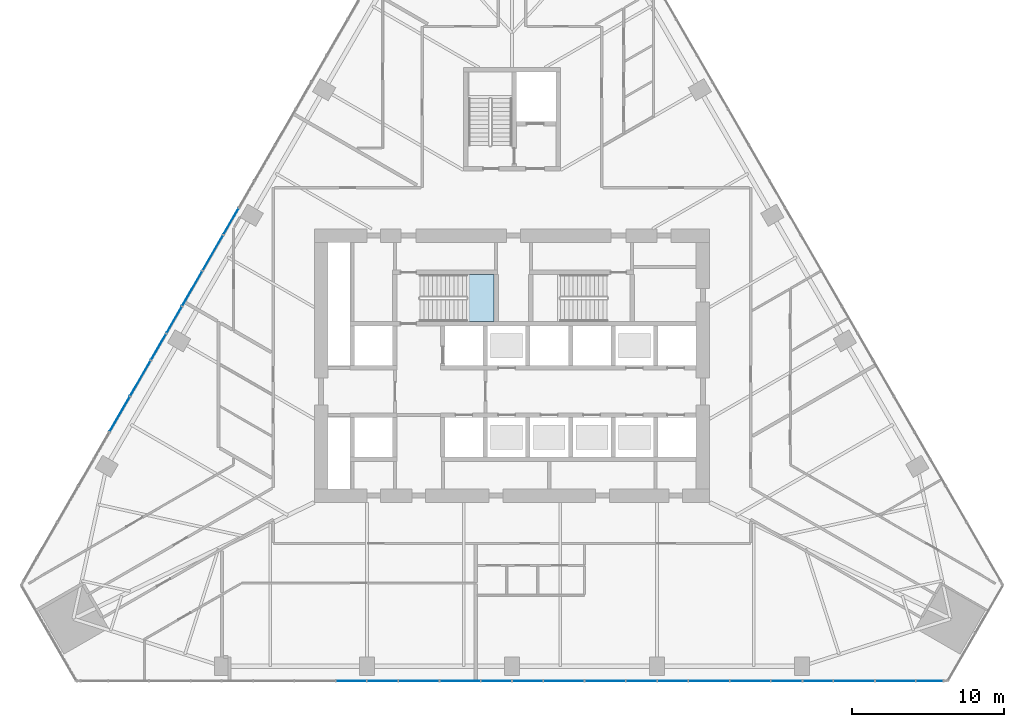
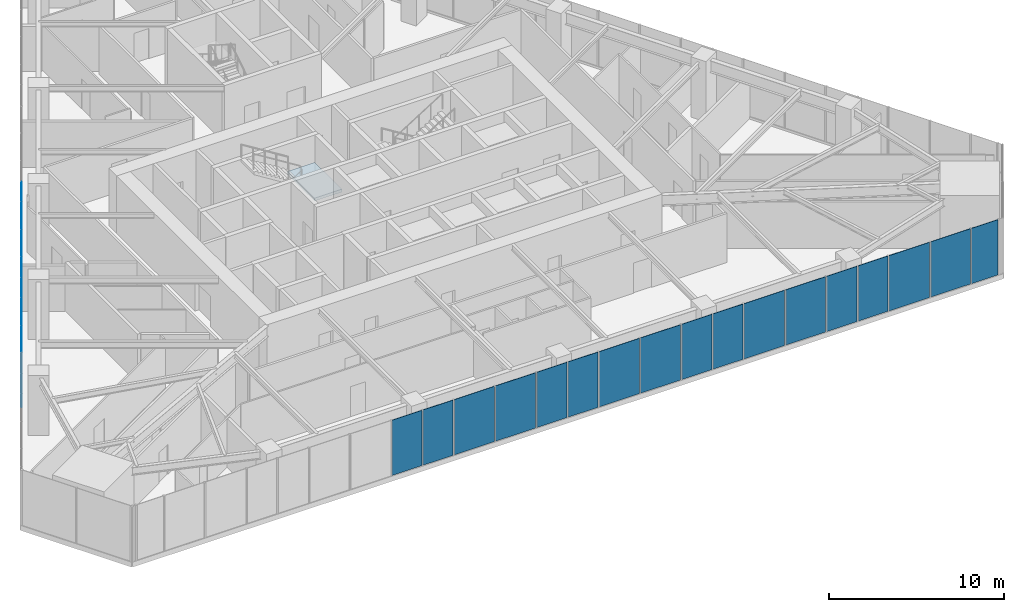
# One storey, part 14 of 26: 24 plates, 1 slab, 3 elements without a shape of their own.
"""IFC4 building model written with IfcOpenShell, lengths in metres."""

from ifc_helpers import new_model, si_unit, direction, frame, origin, place, context, subcontext, project, spatial, polyline, outline, extrude, material, layer, layer_set, type_object, element, aggregate, save


model = new_model("IFC4")

# Units and contexts
model_context = context("Model", 3, precision=1e-05, world=origin(), true_north=direction((0.0, 1.0)))
body_context = subcontext(model_context, "Body", "Model", "MODEL_VIEW")
ifc_project = project(units=[si_unit("LENGTHUNIT", "METRE"), si_unit("AREAUNIT", "SQUARE_METRE"), si_unit("VOLUMEUNIT", "CUBIC_METRE"), si_unit("PLANEANGLEUNIT", "RADIAN"), si_unit("MASSUNIT", "GRAM", prefix="KILO")], contexts=[model_context])

# Site, building, storey
site_placement = place(None, origin())
site = spatial("IfcSite", under=ifc_project, at=site_placement, CompositionType="ELEMENT")
building_placement = place(site_placement, origin())
building = spatial("IfcBuilding", under=site, at=building_placement, Name="Firuza Gate Tower and Library", CompositionType="ELEMENT")
storey_placement = place(building_placement, frame((0.0, 0.0, 65.199951171875)))
storey = spatial("IfcBuildingStorey", under=building, at=storey_placement, Name="L14", CompositionType="ELEMENT", Elevation=65.199951171875)

# Curtain wall, plates
ifc_material_1 = material(Name="Aluminium 6063-T6", Category="aluminium")
ifc_layer_1 = layer(ifc_material_1, 0.14990234375)
ifc_layer_set_1 = layer_set([ifc_layer_1], Name="Unitised curtain wall, offices")
curtain_wall_type = type_object("IfcCurtainWallType", Name="Unitised curtain wall, offices", PredefinedType="NOTDEFINED", material=ifc_layer_set_1)
placement = place(storey_placement, origin())
curtain_wall_1 = element("IfcCurtainWall", 1, at=placement, inside=storey, type_object=curtain_wall_type, Name="CW1 L14 S face", PredefinedType="NOTDEFINED")
ifc_material_2 = material(Name="Fritted glass", Category="glass")
ifc_layer_2 = layer(ifc_material_2, 0.030029296875)
ifc_layer_set_2 = layer_set([ifc_layer_2], Name="Fritted glass unit, offices")
plate_type_1 = type_object("IfcPlateType", Name="Fritted glass unit, offices", PredefinedType="CURTAIN_PANEL", material=ifc_layer_set_2)
plate_1_placement = place(storey_placement, frame((63.455810546875, 54.239013671875, 0.150146484375), z_axis=(0.0, -1.0, 0.0), x_axis=(1.0, 0.0, 0.0)))
plate_1 = element("IfcPlate", 2, at=plate_1_placement, type_object=plate_type_1, Name="Glass unit", PredefinedType="CURTAIN_PANEL", context=body_context, shape_type="SweptSolid", body=[
    extrude(outline(polyline([(0.0, 0.0), (1.955322265625, 0.0), (1.955322265625, 3.849853515625), (0.0, 3.849853515625), (0.0, 0.0)])), origin(), (0.0, 0.0, -1.0), 0.030029296875),
])
plate_2_placement = place(storey_placement, frame((65.4912109375, 54.239013671875, 0.150146484375), z_axis=(0.0, -1.0, 0.0), x_axis=(1.0, 0.0, 0.0)))
plate_2 = element("IfcPlate", 3, at=plate_2_placement, type_object=plate_type_1, Name="Glass unit", PredefinedType="CURTAIN_PANEL", context=body_context, shape_type="SweptSolid", body=[
    extrude(outline(polyline([(0.0, 0.0), (1.984130859375, 0.0), (1.984130859375, 3.849853515625), (0.0, 3.849853515625), (0.0, 0.0)])), origin(), (0.0, 0.0, -1.0), 0.030029296875),
])
plate_3_placement = place(storey_placement, frame((72.990234375, 54.239013671875, 0.150146484375), z_axis=(0.0, -1.0, 0.0), x_axis=(1.0, 0.0, 0.0)))
plate_3 = element("IfcPlate", 4, at=plate_3_placement, type_object=plate_type_1, Name="Glass unit", PredefinedType="CURTAIN_PANEL", context=body_context, shape_type="SweptSolid", body=[
    extrude(outline(polyline([(0.0, 0.0), (1.9697265625, 0.0), (1.9697265625, 3.849853515625), (0.0, 3.849853515625), (0.0, 0.0)])), origin(), (0.0, 0.0, -1.0), 0.030029296875),
])
plate_4_placement = place(storey_placement, frame((75.0400390625, 54.239013671875, 0.150146484375), z_axis=(0.0, -1.0, 0.0), x_axis=(1.0, 0.0, 0.0)))
plate_4 = element("IfcPlate", 5, at=plate_4_placement, type_object=plate_type_1, Name="Glass unit", PredefinedType="CURTAIN_PANEL", context=body_context, shape_type="SweptSolid", body=[
    extrude(outline(polyline([(0.0, 0.0), (1.9697265625, 0.0), (1.9697265625, 3.849853515625), (0.0, 3.849853515625), (0.0, 0.0)])), origin(), (0.0, 0.0, -1.0), 0.030029296875),
])
plate_5_placement = place(storey_placement, frame((82.524658203125, 54.239013671875, 0.150146484375), z_axis=(0.0, -1.0, 0.0), x_axis=(1.0, 0.0, 0.0)))
plate_5 = element("IfcPlate", 6, at=plate_5_placement, type_object=plate_type_1, Name="Glass unit", PredefinedType="CURTAIN_PANEL", context=body_context, shape_type="SweptSolid", body=[
    extrude(outline(polyline([(0.0, 0.0), (1.984130859375, 0.0), (1.984130859375, 3.849853515625), (0.0, 3.849853515625), (0.0, 0.0)])), origin(), (0.0, 0.0, -1.0), 0.030029296875),
])
plate_6_placement = place(storey_placement, frame((84.5888671875, 54.239013671875, 0.150146484375), z_axis=(0.0, -1.0, 0.0), x_axis=(1.0, 0.0, 0.0)))
plate_6 = element("IfcPlate", 7, at=plate_6_placement, type_object=plate_type_1, Name="Glass unit", PredefinedType="CURTAIN_PANEL", context=body_context, shape_type="SweptSolid", body=[
    extrude(outline(polyline([(0.0, 0.0), (1.955322265625, 0.0), (1.955322265625, 3.849853515625), (0.0, 3.849853515625), (0.0, 0.0)])), origin(), (0.0, 0.0, -1.0), 0.030029296875),
])
plate_7_placement = place(storey_placement, frame((92.059326171875, 54.239013671875, 0.150146484375), z_axis=(0.0, -1.0, 0.0), x_axis=(1.0, 0.0, 0.0)))
plate_7 = element("IfcPlate", 8, at=plate_7_placement, type_object=plate_type_1, Name="Glass unit", PredefinedType="CURTAIN_PANEL", context=body_context, shape_type="SweptSolid", body=[
    extrude(outline(polyline([(0.0, 0.0), (1.99853515625, 0.0), (1.99853515625, 3.849853515625), (0.0, 3.849853515625), (0.0, 0.0)])), origin(), (0.0, 0.0, -1.0), 0.030029296875),
])
plate_8_placement = place(storey_placement, frame((94.1376953125, 54.239013671875, 0.150146484375), z_axis=(0.0, -1.0, 0.0), x_axis=(1.0, 0.0, 0.0)))
plate_8 = element("IfcPlate", 9, at=plate_8_placement, type_object=plate_type_1, Name="Glass unit", PredefinedType="CURTAIN_PANEL", context=body_context, shape_type="SweptSolid", body=[
    extrude(outline(polyline([(0.0, 0.0), (1.94091796875, 0.0), (1.94091796875, 3.849853515625), (0.0, 3.849853515625), (0.0, 0.0)])), origin(), (0.0, 0.0, -1.0), 0.030029296875),
])
plate_9_placement = place(storey_placement, frame((101.59375, 54.239013671875, 0.150146484375), z_axis=(0.0, -1.0, 0.0), x_axis=(1.0, 0.0, 0.0)))
plate_9 = element("IfcPlate", 10, at=plate_9_placement, type_object=plate_type_1, Name="Glass unit", PredefinedType="CURTAIN_PANEL", context=body_context, shape_type="SweptSolid", body=[
    extrude(outline(polyline([(0.0, 0.0), (1.746826171875, 0.0), (1.746826171875, 3.849853515625), (0.0, 3.849853515625), (0.0, 0.0)])), origin(), (0.0, 0.0, -1.0), 0.030029296875),
])

curtain_wall_2 = element("IfcCurtainWall", 11, at=placement, inside=storey, type_object=curtain_wall_type, Name="CW1 L14 W face", PredefinedType="NOTDEFINED")
plate_10_placement = place(storey_placement, frame((57.00048828125, 85.345947265625, 0.150146484375), z_axis=(-0.866022523296, 0.500004989119, 0.0), x_axis=(-0.500004989119, -0.866022523296, 0.0)))
plate_10 = element("IfcPlate", 12, at=plate_10_placement, type_object=plate_type_1, Name="Glass unit", PredefinedType="CURTAIN_PANEL", context=body_context, shape_type="SweptSolid", body=[
    extrude(outline(polyline([(0.0, 0.0), (1.969706908294862, 0.0), (1.969706908294862, 3.849853515625), (0.0, 3.849853515625), (0.0, 0.0)])), origin(), (0.0, 0.0, -1.0), 0.030029296875),
])
plate_11_placement = place(storey_placement, frame((53.258056640625, 78.864013671875, 0.150146484375), z_axis=(-0.866023728021, 0.500002902497, 0.0), x_axis=(-0.500002902497, -0.866023728021, 0.0)))
plate_11 = element("IfcPlate", 13, at=plate_11_placement, type_object=plate_type_1, Name="Glass unit", PredefinedType="CURTAIN_PANEL", context=body_context, shape_type="SweptSolid", body=[
    extrude(outline(polyline([(0.0, 0.0), (1.984363480782303, 0.0), (1.984363480782303, 3.849853515625), (0.0, 3.849853515625), (0.0, 0.0)])), origin(), (0.0, 0.0, -1.0), 0.030029296875),
])
plate_12_placement = place(storey_placement, frame((52.225830078125, 77.076416015625, 0.150146484375), z_axis=(-0.866052515552, 0.499953038101, 0.0), x_axis=(-0.499953038101, -0.866052515552, 0.0)))
plate_12 = element("IfcPlate", 14, at=plate_12_placement, type_object=plate_type_1, Name="Glass unit", PredefinedType="CURTAIN_PANEL", context=body_context, shape_type="SweptSolid", body=[
    extrude(outline(polyline([(0.0, 0.0), (1.9552617706112319, 0.0), (1.9552617706112319, 3.849853515625), (0.0, 3.849853515625), (0.0, 0.0)])), origin(), (0.0, 0.0, -1.0), 0.030029296875),
])

# Plate
ifc_material_3 = material(Name="Glazed ceramic tile")
ifc_layer_3 = layer(ifc_material_3, 0.030029296875)
ifc_layer_set_3 = layer_set([ifc_layer_3], Name="Opaque ceramic panel, offices")
plate_type_2 = type_object("IfcPlateType", Name="Opaque ceramic panel, offices", PredefinedType="CURTAIN_PANEL", material=ifc_layer_set_3)
plate_13_placement = place(storey_placement, frame((67.55517578125, 54.239013671875, 0.150146484375), z_axis=(0.0, -1.0, 0.0), x_axis=(1.0, 0.0, 0.0)))
plate_13 = element("IfcPlate", 15, at=plate_13_placement, type_object=plate_type_2, Name="Opaque ceramic panel", PredefinedType="CURTAIN_PANEL", context=body_context, shape_type="SweptSolid", body=[
    extrude(outline(polyline([(0.0, 0.0), (2.63037109375, 0.0), (2.63037109375, 3.849853515625), (0.0, 3.849853515625), (0.0, 0.0)])), origin(), (0.0, 0.0, -1.0), 0.030029296875),
])

plate_14_placement = place(storey_placement, frame((70.265625, 54.239013671875, 0.150146484375), z_axis=(0.0, -1.0, 0.0), x_axis=(1.0, 0.0, 0.0)))
plate_14 = element("IfcPlate", 16, at=plate_14_placement, type_object=plate_type_2, Name="Opaque ceramic panel", PredefinedType="CURTAIN_PANEL", context=body_context, shape_type="SweptSolid", body=[
    extrude(outline(polyline([(0.0, 0.0), (2.644775390625, 0.0), (2.644775390625, 3.849853515625), (0.0, 3.849853515625), (0.0, 0.0)])), origin(), (0.0, 0.0, -1.0), 0.030029296875),
])

plate_15_placement = place(storey_placement, frame((77.089599609375, 54.239013671875, 0.150146484375), z_axis=(0.0, -1.0, 0.0), x_axis=(1.0, 0.0, 0.0)))
plate_15 = element("IfcPlate", 17, at=plate_15_placement, type_object=plate_type_2, Name="Opaque ceramic panel", PredefinedType="CURTAIN_PANEL", context=body_context, shape_type="SweptSolid", body=[
    extrude(outline(polyline([(0.0, 0.0), (2.644775390625, 0.0), (2.644775390625, 3.849853515625), (0.0, 3.849853515625), (0.0, 0.0)])), origin(), (0.0, 0.0, -1.0), 0.030029296875),
])

plate_16_placement = place(storey_placement, frame((79.814453125, 54.239013671875, 0.150146484375), z_axis=(0.0, -1.0, 0.0), x_axis=(1.0, 0.0, 0.0)))
plate_16 = element("IfcPlate", 18, at=plate_16_placement, type_object=plate_type_2, Name="Opaque ceramic panel", PredefinedType="CURTAIN_PANEL", context=body_context, shape_type="SweptSolid", body=[
    extrude(outline(polyline([(0.0, 0.0), (2.63037109375, 0.0), (2.63037109375, 3.849853515625), (0.0, 3.849853515625), (0.0, 0.0)])), origin(), (0.0, 0.0, -1.0), 0.030029296875),
])

plate_17_placement = place(storey_placement, frame((86.6240234375, 54.239013671875, 0.150146484375), z_axis=(0.0, -1.0, 0.0), x_axis=(1.0, 0.0, 0.0)))
plate_17 = element("IfcPlate", 19, at=plate_17_placement, type_object=plate_type_2, Name="Opaque ceramic panel", PredefinedType="CURTAIN_PANEL", context=body_context, shape_type="SweptSolid", body=[
    extrude(outline(polyline([(0.0, 0.0), (2.659423828125, 0.0), (2.659423828125, 3.849853515625), (0.0, 3.849853515625), (0.0, 0.0)])), origin(), (0.0, 0.0, -1.0), 0.030029296875),
])

plate_18_placement = place(storey_placement, frame((89.36328125, 54.239013671875, 0.150146484375), z_axis=(0.0, -1.0, 0.0), x_axis=(1.0, 0.0, 0.0)))
plate_18 = element("IfcPlate", 20, at=plate_18_placement, type_object=plate_type_2, Name="Opaque ceramic panel", PredefinedType="CURTAIN_PANEL", context=body_context, shape_type="SweptSolid", body=[
    extrude(outline(polyline([(0.0, 0.0), (2.615966796875, 0.0), (2.615966796875, 3.849853515625), (0.0, 3.849853515625), (0.0, 0.0)])), origin(), (0.0, 0.0, -1.0), 0.030029296875),
])

plate_19_placement = place(storey_placement, frame((96.15869140625, 54.239013671875, 0.150146484375), z_axis=(0.0, -1.0, 0.0), x_axis=(1.0, 0.0, 0.0)))
plate_19 = element("IfcPlate", 21, at=plate_19_placement, type_object=plate_type_2, Name="Opaque ceramic panel", PredefinedType="CURTAIN_PANEL", context=body_context, shape_type="SweptSolid", body=[
    extrude(outline(polyline([(0.0, 0.0), (2.673583984375, 0.0), (2.673583984375, 3.849853515625), (0.0, 3.849853515625), (0.0, 0.0)])), origin(), (0.0, 0.0, -1.0), 0.030029296875),
])

plate_20_placement = place(storey_placement, frame((98.912109375, 54.239013671875, 0.150146484375), z_axis=(0.0, -1.0, 0.0), x_axis=(1.0, 0.0, 0.0)))
plate_20 = element("IfcPlate", 22, at=plate_20_placement, type_object=plate_type_2, Name="Opaque ceramic panel", PredefinedType="CURTAIN_PANEL", context=body_context, shape_type="SweptSolid", body=[
    extrude(outline(polyline([(0.0, 0.0), (2.6015625, 0.0), (2.6015625, 3.849853515625), (0.0, 3.849853515625), (0.0, 0.0)])), origin(), (0.0, 0.0, -1.0), 0.030029296875),
])

aggregate(curtain_wall_1, [plate_1, plate_2, plate_13, plate_14, plate_3, plate_4, plate_15, plate_16, plate_5, plate_6, plate_17, plate_18, plate_7, plate_8, plate_19, plate_20, plate_9])

plate_21_placement = place(storey_placement, frame((55.9755859375, 83.57080078125, 0.150146484375), z_axis=(-0.86601342167, 0.500020753057, 0.0), x_axis=(-0.500020753057, -0.86601342167, 0.0)))
plate_21 = element("IfcPlate", 23, at=plate_21_placement, type_object=plate_type_2, Name="Opaque ceramic panel", PredefinedType="CURTAIN_PANEL", context=body_context, shape_type="SweptSolid", body=[
    extrude(outline(polyline([(0.0, 0.0), (2.6449097513223254, 0.0), (2.6449097513223254, 3.849853515625), (0.0, 3.849853515625), (0.0, 0.0)])), origin(), (0.0, 0.0, -1.0), 0.030029296875),
])

plate_22_placement = place(storey_placement, frame((54.613037109375, 81.211181640625, 0.150146484375), z_axis=(-0.866075853571, 0.499912608224, 0.0), x_axis=(-0.499912608224, -0.866075853571, 0.0)))
plate_22 = element("IfcPlate", 24, at=plate_22_placement, type_object=plate_type_2, Name="Opaque ceramic panel", PredefinedType="CURTAIN_PANEL", context=body_context, shape_type="SweptSolid", body=[
    extrude(outline(polyline([(0.0, 0.0), (2.6303425531164915, 0.0), (2.6303425531164915, 3.849853515625), (0.0, 3.849853515625), (0.0, 0.0)])), origin(), (0.0, 0.0, -1.0), 0.030029296875),
])

plate_23_placement = place(storey_placement, frame((51.208251953125, 75.313720703125, 0.150146484375), z_axis=(-0.866031171652, 0.499990009627, 0.0), x_axis=(-0.499990009627, -0.866031171652, 0.0)))
plate_23 = element("IfcPlate", 25, at=plate_23_placement, type_object=plate_type_2, Name="Opaque ceramic panel", PredefinedType="CURTAIN_PANEL", context=body_context, shape_type="SweptSolid", body=[
    extrude(outline(polyline([(0.0, 0.0), (2.659232820952968, 0.0), (2.659232820952968, 3.849853515625001), (0.0, 3.849853515625001), (0.0, 0.0)])), origin(), (0.0, 0.0, -1.0), 0.030029296875),
])

plate_24_placement = place(storey_placement, frame((49.838623046875, 72.941650390625, 0.150146484375), z_axis=(-0.866058154973, 0.499943268986, 0.0), x_axis=(-0.499943268986, -0.866058154973, 0.0)))
plate_24 = element("IfcPlate", 26, at=plate_24_placement, type_object=plate_type_2, Name="Opaque ceramic panel", PredefinedType="CURTAIN_PANEL", context=body_context, shape_type="SweptSolid", body=[
    extrude(outline(polyline([(0.0, 0.0), (2.616019475124352, 0.0), (2.616019475124352, 3.849853515625), (0.0, 3.849853515625), (0.0, 0.0)])), origin(), (0.0, 0.0, -1.0), 0.030029296875),
])

aggregate(curtain_wall_2, [plate_10, plate_21, plate_22, plate_11, plate_12, plate_23, plate_24])

# Stair, slab
ifc_material_4 = material(Name="Concrete C35/45", Category="concrete")
stair_type = type_object("IfcStairType", Name="Exit stair ST5", PredefinedType="HALF_TURN_STAIR", material=ifc_material_4)
stair = element("IfcStair", 27, at=placement, inside=storey, type_object=stair_type, Name="L14 Stair ST1", PredefinedType="HALF_TURN_STAIR")
ifc_material_5 = material(Name="Concrete C35/45", Category="concrete")
ifc_layer_4 = layer(ifc_material_5, 0.199951171875)
ifc_layer_set_4 = layer_set([ifc_layer_4], Name="Stair landing 200")
slab_type = type_object("IfcSlabType", Name="Stair landing 200", PredefinedType="LANDING", material=ifc_layer_set_4)
slab_placement = place(storey_placement, frame((0.0, 0.0, 1.900146484375)))
slab = element("IfcSlab", 28, at=slab_placement, type_object=slab_type, Name="ST1 landing 1", PredefinedType="LANDING", context=body_context, shape_type="SweptSolid", body=[
    extrude(outline(polyline([(72.02001953125, 77.89990234375), (73.81005859375, 77.89990234375), (73.81005859375, 80.97998046875), (72.02001953125, 80.97998046875), (72.02001953125, 77.89990234375)])), origin(), (0.0, 0.0, 1.0), 0.199951171875),
])
aggregate(stair, [slab])

save(model, "model.ifc")
